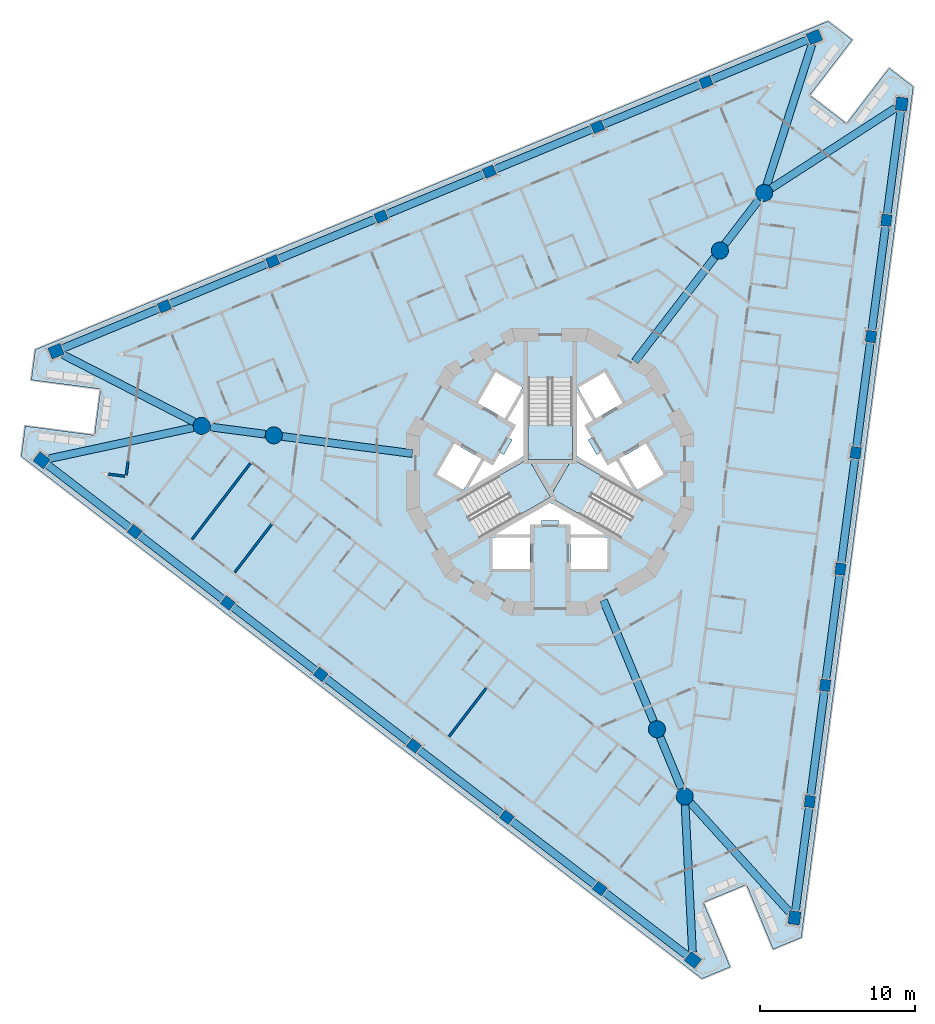
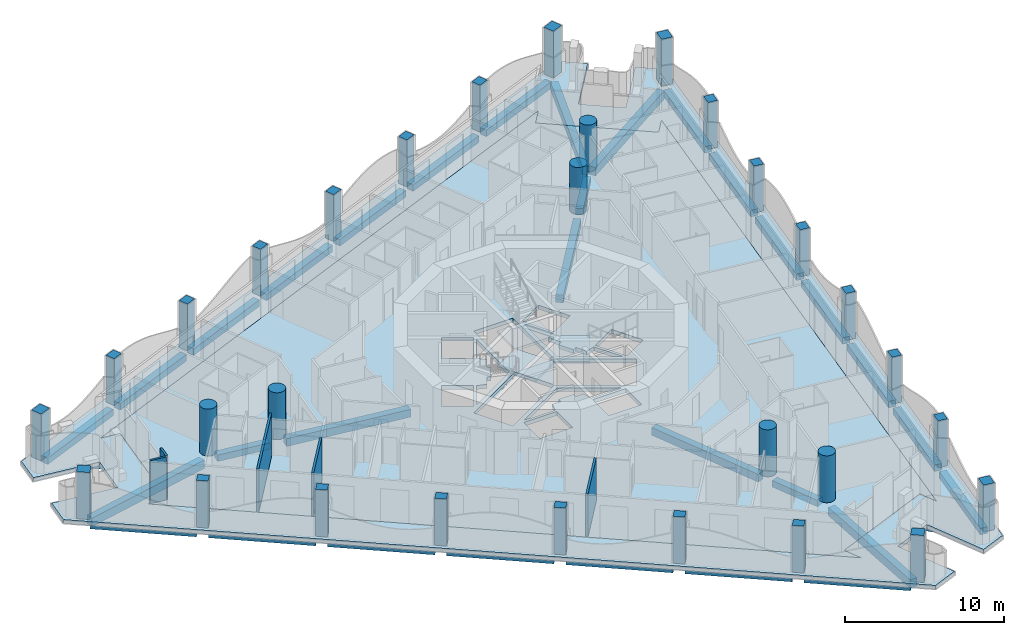
# One storey, part 1 of 17: 33 beams, 30 columns, 6 slabs, 5 walls, 3 elements without a shape of their own.
"""IFC4 building model written with IfcOpenShell, lengths in metres."""

from ifc_helpers import new_model, si_unit, direction, frame, frame_2d, origin, origin_2d, place, context, subcontext, project, spatial, polyline, rectangle, circle, outline, extrude, material, layer, layer_set, material_profile, profile_set, type_object, element, aggregate, save


model = new_model("IFC4")

# Units and contexts
model_context = context("Model", 3, precision=1e-05, world=origin(), true_north=direction((0.0, 1.0)))
body_context = subcontext(model_context, "Body", "Model", "MODEL_VIEW")
ifc_project = project(units=[si_unit("LENGTHUNIT", "METRE"), si_unit("AREAUNIT", "SQUARE_METRE"), si_unit("VOLUMEUNIT", "CUBIC_METRE"), si_unit("PLANEANGLEUNIT", "RADIAN"), si_unit("MASSUNIT", "GRAM", prefix="KILO")], contexts=[model_context])

# Site, building, storey
site_placement = place(None, origin())
site = spatial("IfcSite", under=ifc_project, at=site_placement, CompositionType="ELEMENT")
building_placement = place(site_placement, origin())
building = spatial("IfcBuilding", under=site, at=building_placement, Name="Trine Commons Tower", CompositionType="ELEMENT")
storey_placement = place(building_placement, frame((0.0, 0.0, 138.60009765625)))
storey = spatial("IfcBuildingStorey", under=building, at=storey_placement, Name="L35", CompositionType="ELEMENT", Elevation=138.60009765625)

# Columns
ifc_material_1 = material(Name="Concrete C70/85", Category="concrete")
ifc_material_profile_1 = material_profile(ifc_material_1, rectangle(XDim=0.75, YDim=0.64990234375, at=origin_2d()), Name="RC 750x650")
ifc_profile_set_1 = profile_set([ifc_material_profile_1], Name="Concrete C70/85")
column_type_1 = type_object("IfcColumnType", Name="RC column 750x650, C70/85", PredefinedType="COLUMN", material=ifc_profile_set_1)
for number, where, z_axis, x_axis, name in (
    (1, (83.197021484375, 35.652587890625, 0.0), (0.0, 0.0, 1.0), (-0.793353340291, 0.608761429009, 0.0), "Column PC4-02 L35"),
    (2, (77.20556640625, 40.25, 0.0), (0.0, 0.0, 1.0), (-0.793353340291, 0.608761429009, 0.0), "Column PC4-03 L35"),
    (3, (71.214111328125, 44.847412109375, 0.0), (0.0, 0.0, 1.0), (-0.793353340291, 0.608761429009, 0.0), "Column PC4-04 L35"),
    (4, (65.222900390625, 49.444580078125, 0.0), (0.0, 0.0, 1.0), (-0.793353340291, 0.608761429009, 0.0), "Column PC4-05 L35"),
    (5, (59.2314453125, 54.0419921875, 0.0), (0.0, 0.0, 1.0), (-0.793353340291, 0.608761429009, 0.0), "Column PC4-06 L35"),
    (6, (53.239990234375, 58.639404296875, 0.0), (0.0, 0.0, 1.0), (-0.793353340291, 0.608761429009, 0.0), "Column PC4-07 L35"),
    (7, (55.151123046875, 73.155029296875, 0.0), (0.0, 0.0, 1.0), (0.923879532511, 0.382683432365, 0.0), "Column PC4-10 L35"),
    (8, (62.128173828125, 76.044921875, 0.0), (0.0, 0.0, 1.0), (0.923879532511, 0.382683432365, 0.0), "Column PC4-11 L35"),
    (9, (69.105224609375, 78.93505859375, 0.0), (0.0, 0.0, 1.0), (0.923879532511, 0.382683432365, 0.0), "Column PC4-12 L35"),
    (10, (76.08251953125, 81.8251953125, 0.0), (0.0, 0.0, 1.0), (0.923879532511, 0.382683432365, 0.0), "Column PC4-13 L35"),
    (11, (83.0595703125, 84.715087890625, 0.0), (0.0, 0.0, 1.0), (0.923879532511, 0.382683432365, 0.0), "Column PC4-14 L35"),
    (12, (90.03662109375, 87.60498046875, 0.0), (0.0, 0.0, 1.0), (0.923879532511, 0.382683432365, 0.0), "Column PC4-15 L35"),
    (13, (101.652099609375, 78.692138671875, 0.0), (0.0, 0.0, 1.0), (0.13052619222, 0.991444861374, 0.0), "Column PC4-18 L35"),
    (14, (100.666259765625, 71.204833984375, 0.0), (0.0, 0.0, 1.0), (0.13052619222, 0.991444861374, 0.0), "Column PC4-19 L35"),
    (15, (99.680419921875, 63.717529296875, 0.0), (0.0, 0.0, 1.0), (0.13052619222, 0.991444861374, 0.0), "Column PC4-20 L35"),
    (16, (98.69482421875, 56.230224609375, 0.0), (0.0, 0.0, 1.0), (0.13052619222, 0.991444861374, 0.0), "Column PC4-21 L35"),
    (17, (97.708984375, 48.742919921875, 0.0), (0.0, 0.0, 1.0), (0.13052619222, 0.991444861374, 0.0), "Column PC4-22 L35"),
    (18, (96.723388671875, 41.255615234375, 0.0), (0.0, 0.0, 1.0), (0.13052619222, 0.991444861374, 0.0), "Column PC4-23 L35"),
):
    element("IfcColumn", number, at=place(storey_placement, frame(where, z_axis=z_axis, x_axis=x_axis)), inside=storey, type_object=column_type_1, Name=name, PredefinedType="COLUMN", context=body_context, shape_type="SweptSolid", body=[
        extrude(rectangle(XDim=0.75, YDim=0.64990234375, at=origin_2d()), origin(), (0.0, 0.0, 1.0), 3.599853515625),
    ])
ifc_material_profile_2 = material_profile(ifc_material_1, rectangle(XDim=0.85009765625, YDim=0.75, at=origin_2d()), Name="RC 850x750")
ifc_profile_set_2 = profile_set([ifc_material_profile_2], Name="Concrete C70/85")
column_type_2 = type_object("IfcColumnType", Name="RC column 850x750, C70/85", PredefinedType="COLUMN", material=ifc_profile_set_2)
for number, where, z_axis, x_axis, name in (
    (19, (89.188232421875, 31.055419921875, 0.0), (0.0, 0.0, 1.0), (-0.793353340291, 0.608761429009, 0.0), "Column PC4-01 L35"),
    (20, (47.248779296875, 63.23681640625, 0.0), (0.0, 0.0, 1.0), (-0.793353340291, 0.608761429009, 0.0), "Column PC4-08 L35"),
    (21, (48.174072265625, 70.264892578125, 0.0), (0.0, 0.0, 1.0), (0.923879532511, 0.382683432365, 0.0), "Column PC4-09 L35"),
    (22, (97.013671875, 90.4951171875, 0.0), (0.0, 0.0, 1.0), (0.923879532511, 0.382683432365, 0.0), "Column PC4-16 L35"),
    (23, (102.6376953125, 86.1796875, 0.0), (0.0, 0.0, 1.0), (0.13052619222, 0.991444861374, 0.0), "Column PC4-17 L35"),
    (24, (95.737548828125, 33.768310546875, 0.0), (0.0, 0.0, 1.0), (0.13052619222, 0.991444861374, 0.0), "Column PC4-24 L35"),
):
    element("IfcColumn", number, at=place(storey_placement, frame(where, z_axis=z_axis, x_axis=x_axis)), inside=storey, type_object=column_type_2, Name=name, PredefinedType="COLUMN", context=body_context, shape_type="SweptSolid", body=[
        extrude(rectangle(XDim=0.85009765625, YDim=0.75, at=origin_2d()), origin(), (0.0, 0.0, 1.0), 3.599853515625),
    ])
ifc_material_profile_3 = material_profile(ifc_material_1, circle(Radius=0.550048828125, at=origin_2d()), Name="RC round 1100")
ifc_profile_set_3 = profile_set([ifc_material_profile_3], Name="Concrete C70/85")
column_type_3 = type_object("IfcColumnType", Name="RC round column 1100 mm, C70/85", PredefinedType="COLUMN", material=ifc_profile_set_3)
for number, where, z_axis, x_axis, name in (
    (25, (86.87109375, 45.912109375, 0.0), (0.0, 0.0, 1.0), (1.0, 0.0, 0.0), "Column WC4-1 L35"),
    (26, (88.66259765625, 41.58642578125, 0.0), (0.0, 0.0, 1.0), (1.0, 0.0, 0.0), "Column WC4-2 L35"),
    (27, (90.93017578125, 76.744384765625, 0.0), (0.0, 0.0, 1.0), (1.0, 0.0, 0.0), "Column WC4-3 L35"),
    (28, (93.7802734375, 80.458984375, 0.0), (0.0, 0.0, 1.0), (1.0, 0.0, 0.0), "Column WC4-4 L35"),
    (29, (62.198974609375, 64.843505859375, 0.0), (0.0, 0.0, 1.0), (1.0, 0.0, 0.0), "Column WC4-5 L35"),
    (30, (57.556884765625, 65.45458984375, 0.0), (0.0, 0.0, 1.0), (1.0, 0.0, 0.0), "Column WC4-6 L35"),
):
    element("IfcColumn", number, at=place(storey_placement, frame(where, z_axis=z_axis, x_axis=x_axis)), inside=storey, type_object=column_type_3, Name=name, PredefinedType="COLUMN", context=body_context, shape_type="SweptSolid", body=[
        extrude(circle(Radius=0.550048828125, at=origin_2d()), origin(), (0.0, 0.0, 1.0), 3.599853515625),
    ])

# Beams
ifc_material_2 = material(Name="Concrete C50/60", Category="concrete")
ifc_material_profile_4 = material_profile(ifc_material_2, rectangle(XDim=0.5, YDim=0.5, at=origin_2d()), Name="RC 500x500")
ifc_profile_set_4 = profile_set([ifc_material_profile_4], Name="Concrete C50/60")
beam_type_1 = type_object("IfcBeamType", Name="RC beam 500x500, C50/60", PredefinedType="BEAM", material=ifc_profile_set_4)
beam_1_placement = place(storey_placement, frame((88.85107421875, 31.314208984375, -0.550048828125), z_axis=(-0.793369431695, 0.608740457709, 0.0), x_axis=(-0.608740457709, -0.793369431695, 0.0)))
element("IfcBeam", 31, at=beam_1_placement, inside=storey, type_object=beam_type_1, Name="Beam EB4-01 L35", PredefinedType="BEAM", context=body_context, shape_type="SweptSolid", body=[
    extrude(rectangle(XDim=0.5, YDim=0.5, at=origin_2d()), origin(), (0.0, 0.0, 1.0), 6.751708984375),
])
beam_2_placement = place(storey_placement, frame((82.8994140625, 35.881103515625, -0.550048828125), z_axis=(-0.793370600973, 0.60873893379, 0.0), x_axis=(-0.60873893379, -0.793370600973, 0.0)))
element("IfcBeam", 32, at=beam_2_placement, inside=storey, type_object=beam_type_1, Name="Beam EB4-02 L35", PredefinedType="BEAM", context=body_context, shape_type="SweptSolid", body=[
    extrude(rectangle(XDim=0.5, YDim=0.5, at=origin_2d()), origin(), (0.0, 0.0, 1.0), 6.802001953125),
])
beam_3_placement = place(storey_placement, frame((76.907958984375, 40.478515625, -0.550048828125), z_axis=(-0.793357299922, 0.608756268682, 0.0), x_axis=(-0.608756268682, -0.793357299922, 0.0)))
element("IfcBeam", 33, at=beam_3_placement, inside=storey, type_object=beam_type_1, Name="Beam EB4-03 L35", PredefinedType="BEAM", context=body_context, shape_type="SweptSolid", body=[
    extrude(rectangle(XDim=0.5, YDim=0.5, at=origin_2d()), origin(), (0.0, 0.0, 1.0), 6.8017578125),
])
beam_4_placement = place(storey_placement, frame((70.916748046875, 45.07568359375, -0.550048828125), z_axis=(-0.793370600973, 0.60873893379, 0.0), x_axis=(-0.60873893379, -0.793370600973, 0.0)))
element("IfcBeam", 34, at=beam_4_placement, inside=storey, type_object=beam_type_1, Name="Beam EB4-04 L35", PredefinedType="BEAM", context=body_context, shape_type="SweptSolid", body=[
    extrude(rectangle(XDim=0.5, YDim=0.5, at=origin_2d()), origin(), (0.0, 0.0, 1.0), 6.802001953125),
])
beam_5_placement = place(storey_placement, frame((64.92529296875, 49.673095703125, -0.550048828125), z_axis=(-0.793357299922, 0.608756268682, 0.0), x_axis=(-0.608756268682, -0.793357299922, 0.0)))
element("IfcBeam", 35, at=beam_5_placement, inside=storey, type_object=beam_type_1, Name="Beam EB4-05 L35", PredefinedType="BEAM", context=body_context, shape_type="SweptSolid", body=[
    extrude(rectangle(XDim=0.5, YDim=0.5, at=origin_2d()), origin(), (0.0, 0.0, 1.0), 6.8017578125),
])
beam_6_placement = place(storey_placement, frame((58.93408203125, 54.2705078125, -0.550048828125), z_axis=(-0.793370600973, 0.60873893379, 0.0), x_axis=(-0.60873893379, -0.793370600973, 0.0)))
element("IfcBeam", 36, at=beam_6_placement, inside=storey, type_object=beam_type_1, Name="Beam EB4-06 L35", PredefinedType="BEAM", context=body_context, shape_type="SweptSolid", body=[
    extrude(rectangle(XDim=0.5, YDim=0.5, at=origin_2d()), origin(), (0.0, 0.0, 1.0), 6.802001953125),
])
for number, where, z_axis, x_axis, name in (
    (37, (52.942626953125, 58.86767578125, -0.550048828125), (-0.793351968439, 0.608763216838, 0.0), (-0.608763216838, -0.793351968439, 0.0), "Beam EB4-07 L35"),
    (38, (48.566650390625, 70.427490234375, -0.550048828125), (0.923874044744, 0.382696680739, 0.0), (-0.382696680739, 0.923874044744, 0.0), "Beam EB4-08 L35"),
):
    element("IfcBeam", number, at=place(storey_placement, frame(where, z_axis=z_axis, x_axis=x_axis)), inside=storey, type_object=beam_type_1, Name=name, PredefinedType="BEAM", context=body_context, shape_type="SweptSolid", body=[
        extrude(rectangle(XDim=0.5, YDim=0.5, at=origin_2d()), origin(), (0.0, 0.0, 1.0), 6.751953125),
    ])
for number, where, z_axis, x_axis, name in (
    (39, (55.49755859375, 73.298583984375, -0.550048828125), (0.923877719045, 0.38268781043, 0.0), (-0.38268781043, 0.923877719045, 0.0), "Beam EB4-09 L35"),
    (40, (62.474609375, 76.1884765625, -0.550048828125), (0.923877719045, 0.38268781043, 0.0), (-0.38268781043, 0.923877719045, 0.0), "Beam EB4-10 L35"),
):
    element("IfcBeam", number, at=place(storey_placement, frame(where, z_axis=z_axis, x_axis=x_axis)), inside=storey, type_object=beam_type_1, Name=name, PredefinedType="BEAM", context=body_context, shape_type="SweptSolid", body=[
        extrude(rectangle(XDim=0.5, YDim=0.5, at=origin_2d()), origin(), (0.0, 0.0, 1.0), 6.802001953125),
    ])
for number, where, z_axis, x_axis, name in (
    (41, (69.451904296875, 79.07861328125, -0.550048828125), (0.923872462302, 0.382700500915, 0.0), (-0.382700500915, 0.923872462302, 0.0), "Beam EB4-11 L35"),
    (42, (76.428955078125, 81.968505859375, -0.550048828125), (0.923872462302, 0.382700500915, 0.0), (-0.382700500915, 0.923872462302, 0.0), "Beam EB4-12 L35"),
):
    element("IfcBeam", number, at=place(storey_placement, frame(where, z_axis=z_axis, x_axis=x_axis)), inside=storey, type_object=beam_type_1, Name=name, PredefinedType="BEAM", context=body_context, shape_type="SweptSolid", body=[
        extrude(rectangle(XDim=0.5, YDim=0.5, at=origin_2d()), origin(), (0.0, 0.0, 1.0), 6.8017578125),
    ])
beam_7_placement = place(storey_placement, frame((83.406005859375, 84.858642578125, -0.550048828125), z_axis=(0.923877719045, 0.38268781043, 0.0), x_axis=(-0.38268781043, 0.923877719045, 0.0)))
element("IfcBeam", 43, at=beam_7_placement, inside=storey, type_object=beam_type_1, Name="Beam EB4-13 L35", PredefinedType="BEAM", context=body_context, shape_type="SweptSolid", body=[
    extrude(rectangle(XDim=0.5, YDim=0.5, at=origin_2d()), origin(), (0.0, 0.0, 1.0), 6.802001953125),
])
beam_8_placement = place(storey_placement, frame((90.383056640625, 87.74853515625, -0.550048828125), z_axis=(0.923874044744, 0.382696680739, 0.0), x_axis=(-0.382696680739, 0.923874044744, 0.0)))
element("IfcBeam", 44, at=beam_8_placement, inside=storey, type_object=beam_type_1, Name="Beam EB4-14 L35", PredefinedType="BEAM", context=body_context, shape_type="SweptSolid", body=[
    extrude(rectangle(XDim=0.5, YDim=0.5, at=origin_2d()), origin(), (0.0, 0.0, 1.0), 6.751953125),
])
beam_9_placement = place(storey_placement, frame((102.582275390625, 85.75830078125, -0.550048828125), z_axis=(-0.130529338233, -0.991444447188, 0.0), x_axis=(0.991444447188, -0.130529338233, 0.0)))
element("IfcBeam", 45, at=beam_9_placement, inside=storey, type_object=beam_type_1, Name="Beam EB4-15 L35", PredefinedType="BEAM", context=body_context, shape_type="SweptSolid", body=[
    extrude(rectangle(XDim=0.5, YDim=0.5, at=origin_2d()), origin(), (0.0, 0.0, 1.0), 6.752197265625),
])
for number, where, z_axis, x_axis, name in (
    (46, (101.60302734375, 78.3203125, -0.550048828125), (-0.13054364647, -0.991442563322, 0.0), (0.991442563322, -0.13054364647, 0.0), "Beam EB4-16 L35"),
    (47, (100.6171875, 70.8330078125, -0.550048828125), (-0.13050836468, -0.991447208251, 0.0), (0.991447208251, -0.13050836468, 0.0), "Beam EB4-17 L35"),
    (48, (99.631591796875, 63.345703125, -0.550048828125), (-0.13054364647, -0.991442563322, 0.0), (0.991442563322, -0.13054364647, 0.0), "Beam EB4-18 L35"),
    (49, (98.64599609375, 55.8583984375, -0.550048828125), (-0.13054364647, -0.991442563322, 0.0), (0.991442563322, -0.13054364647, 0.0), "Beam EB4-19 L35"),
    (50, (97.66015625, 48.37109375, -0.550048828125), (-0.13054364647, -0.991442563322, 0.0), (0.991442563322, -0.13054364647, 0.0), "Beam EB4-20 L35"),
):
    element("IfcBeam", number, at=place(storey_placement, frame(where, z_axis=z_axis, x_axis=x_axis)), inside=storey, type_object=beam_type_1, Name=name, PredefinedType="BEAM", context=body_context, shape_type="SweptSolid", body=[
        extrude(rectangle(XDim=0.5, YDim=0.5, at=origin_2d()), origin(), (0.0, 0.0, 1.0), 6.8017578125),
    ])
beam_10_placement = place(storey_placement, frame((96.67431640625, 40.8837890625, -0.550048828125), z_axis=(-0.130498474521, -0.991448510084, 0.0), x_axis=(0.991448510084, -0.130498474521, 0.0)))
element("IfcBeam", 51, at=beam_10_placement, inside=storey, type_object=beam_type_1, Name="Beam EB4-21 L35", PredefinedType="BEAM", context=body_context, shape_type="SweptSolid", body=[
    extrude(rectangle(XDim=0.5, YDim=0.5, at=origin_2d()), origin(), (0.0, 0.0, 1.0), 6.751708984375),
])
beam_11_placement = place(storey_placement, frame((87.08154296875, 45.40380859375, -0.550048828125), z_axis=(0.382644753509, -0.92389555287, 0.0), x_axis=(0.92389555287, 0.382644753509, 0.0)))
element("IfcBeam", 52, at=beam_11_placement, inside=storey, type_object=beam_type_1, Name="Beam RB4-02 L35", PredefinedType="BEAM", context=body_context, shape_type="SweptSolid", body=[
    extrude(rectangle(XDim=0.5, YDim=0.5, at=origin_2d()), origin(), (0.0, 0.0, 1.0), 3.58203125),
])
beam_12_placement = place(storey_placement, frame((91.2646484375, 77.180419921875, -0.550048828125), z_axis=(0.608761938472, 0.793352949366, 0.0), x_axis=(-0.793352949366, 0.608761938472, 0.0)))
element("IfcBeam", 53, at=beam_12_placement, inside=storey, type_object=beam_type_1, Name="Beam RB4-04 L35", PredefinedType="BEAM", context=body_context, shape_type="SweptSolid", body=[
    extrude(rectangle(XDim=0.5, YDim=0.5, at=origin_2d()), origin(), (0.0, 0.0, 1.0), 3.5830078125),
])
beam_13_placement = place(storey_placement, frame((61.654296875, 64.915283203125, -0.550048828125), z_axis=(-0.991441999821, 0.13054792603, 0.0), x_axis=(-0.13054792603, -0.991441999821, 0.0)))
element("IfcBeam", 54, at=beam_13_placement, inside=storey, type_object=beam_type_1, Name="Beam RB4-06 L35", PredefinedType="BEAM", context=body_context, shape_type="SweptSolid", body=[
    extrude(rectangle(XDim=0.5, YDim=0.5, at=origin_2d()), origin(), (0.0, 0.0, 1.0), 3.583251953125),
])
ifc_material_profile_5 = material_profile(ifc_material_2, rectangle(XDim=0.5, YDim=0.60009765625, at=origin_2d()), Name="RC 500x600")
ifc_profile_set_5 = profile_set([ifc_material_profile_5], Name="Concrete C50/60")
beam_type_2 = type_object("IfcBeamType", Name="RC beam 500x600, C50/60", PredefinedType="BEAM", material=ifc_profile_set_5)
beam_14_placement = place(storey_placement, frame((83.426025390625, 54.228515625, -0.60009765625), z_axis=(0.382688551836, -0.92387741194, 0.0), x_axis=(0.92387741194, 0.382688551836, 0.0)))
element("IfcBeam", 55, at=beam_14_placement, inside=storey, type_object=beam_type_2, Name="Beam RB4-01 L35", PredefinedType="BEAM", context=body_context, shape_type="SweptSolid", body=[
    extrude(rectangle(XDim=0.5, YDim=0.60009765625, at=origin_2d()), origin(), (0.0, 0.0, 1.0), 8.45166015625),
])
for number, where, z_axis, x_axis, name in (
    (56, (85.4501953125, 69.602783203125, -0.60009765625), (0.608758331545, 0.793355717049, 0.0), (-0.793355717049, 0.608758331545, 0.0), "Beam RB4-03 L35"),
    (57, (71.123779296875, 63.668701171875, -0.60009765625), (-0.991444756637, 0.130526987771, 0.0), (-0.130526987771, -0.991444756637, 0.0), "Beam RB4-05 L35"),
):
    element("IfcBeam", number, at=place(storey_placement, frame(where, z_axis=z_axis, x_axis=x_axis)), inside=storey, type_object=beam_type_2, Name=name, PredefinedType="BEAM", context=body_context, shape_type="SweptSolid", body=[
        extrude(rectangle(XDim=0.5, YDim=0.60009765625, at=origin_2d()), origin(), (0.0, 0.0, 1.0), 8.452392578125),
    ])
ifc_material_profile_6 = material_profile(ifc_material_2, rectangle(XDim=0.5, YDim=0.64990234375, at=origin_2d()), Name="RC 500x650")
ifc_profile_set_6 = profile_set([ifc_material_profile_6], Name="Concrete C50/60")
beam_type_3 = type_object("IfcBeamType", Name="RC beam 500x650, C50/60", PredefinedType="BEAM", material=ifc_profile_set_6)
for number, where, z_axis, x_axis, name in (
    (58, (47.729736328125, 63.340087890625, -0.625), (0.977623092321, 0.210364182695, 0.0), (-0.210364182695, 0.977623092321, 0.0), "Beam CB4-01 L35"),
    (59, (48.61181640625, 70.04052734375, -0.625), (0.88987015168, -0.456213889692, 0.0), (0.456213889692, 0.88987015168, 0.0), "Beam CB4-02 L35"),
):
    element("IfcBeam", number, at=place(storey_placement, frame(where, z_axis=z_axis, x_axis=x_axis)), inside=storey, type_object=beam_type_3, Name=name, PredefinedType="BEAM", context=body_context, shape_type="SweptSolid", body=[
        extrude(rectangle(XDim=0.5, YDim=0.64990234375, at=origin_2d()), origin(), (0.0, 0.0, 1.0), 9.502685546875),
    ])
for number, where, z_axis, x_axis, name in (
    (60, (96.86279296875, 90.026611328125, -0.625), (-0.306661957359, -0.951818493153, 0.0), (0.951818493153, -0.306661957359, 0.0), "Beam CB4-03 L35"),
    (61, (102.224365234375, 85.91259765625, -0.625), (-0.840029620135, -0.542540539772, 0.0), (0.542540539772, -0.840029620135, 0.0), "Beam CB4-04 L35"),
):
    element("IfcBeam", number, at=place(storey_placement, frame(where, z_axis=z_axis, x_axis=x_axis)), inside=storey, type_object=beam_type_3, Name=name, PredefinedType="BEAM", context=body_context, shape_type="SweptSolid", body=[
        extrude(rectangle(XDim=0.5, YDim=0.64990234375, at=origin_2d()), origin(), (0.0, 0.0, 1.0), 9.50244140625),
    ])
beam_15_placement = place(storey_placement, frame((95.407470703125, 34.133056640625, -0.625), z_axis=(-0.670979247329, 0.74147612885, 0.0), x_axis=(-0.74147612885, -0.670979247329, 0.0)))
element("IfcBeam", 62, at=beam_15_placement, inside=storey, type_object=beam_type_3, Name="Beam CB4-05 L35", PredefinedType="BEAM", context=body_context, shape_type="SweptSolid", body=[
    extrude(rectangle(XDim=0.5, YDim=0.64990234375, at=origin_2d()), origin(), (0.0, 0.0, 1.0), 9.5029296875),
])
beam_16_placement = place(storey_placement, frame((89.163818359375, 31.546875, -0.625), z_axis=(-0.049841513837, 0.998757139398, 0.0), x_axis=(-0.998757139398, -0.049841513837, 0.0)))
element("IfcBeam", 63, at=beam_16_placement, inside=storey, type_object=beam_type_3, Name="Beam CB4-06 L35", PredefinedType="BEAM", context=body_context, shape_type="SweptSolid", body=[
    extrude(rectangle(XDim=0.5, YDim=0.64990234375, at=origin_2d()), origin(), (0.0, 0.0, 1.0), 9.502685546875),
])

# Slabs
ifc_layer_1 = layer(ifc_material_2, 0.300048828125)
ifc_layer_set_1 = layer_set([ifc_layer_1], Name="Concrete C50/60")
slab_type_1 = type_object("IfcSlabType", Name="Loggia slab 300 mm, C50/60", PredefinedType="FLOOR", material=ifc_layer_set_1)
slab_1_placement = place(storey_placement, frame((0.0, 0.0, -0.300048828125)))
element("IfcSlab", 64, at=slab_1_placement, inside=storey, type_object=slab_type_1, Name="Loggia slab L35", PredefinedType="FLOOR", context=body_context, shape_type="SweptSolid", body=[
    extrude(outline(polyline([(96.17578125, 32.500244140625), (103.38916015625, 87.291015625), (101.8310546875, 88.48681640625), (99.091552734375, 84.91650390625), (96.71142578125, 86.742919921875), (99.450927734375, 90.31298828125), (97.892578125, 91.508544921875), (46.835693359375, 70.360107421875), (46.579345703125, 68.412841796875), (51.041015625, 67.825439453125), (50.6494140625, 64.85107421875), (46.187744140625, 65.4384765625), (45.931396484375, 63.4912109375), (89.77490234375, 29.848876953125), (91.589599609375, 30.6005859375), (89.867431640625, 34.758056640625), (92.63916015625, 35.906005859375), (94.361328125, 31.74853515625), (96.17578125, 32.500244140625)]), holes=[polyline([(87.24658203125, 34.814208984375), (86.731689453125, 36.056884765625), (93.93798828125, 39.041748046875), (94.452880859375, 37.799072265625), (100.353271484375, 82.618408203125), (99.53466796875, 81.551513671875), (93.346435546875, 86.2998046875), (94.165283203125, 87.366943359375), (52.400146484375, 70.067138671875), (53.733642578125, 69.8916015625), (52.715576171875, 62.158447265625), (51.382080078125, 62.333984375), (87.24658203125, 34.814208984375)])]), origin(), (0.0, 0.0, 1.0), 0.300048828125),
])
ifc_layer_2 = layer(ifc_material_2, 0.300048828125)
ifc_layer_set_2 = layer_set([ifc_layer_2], Name="Concrete C50/60")
slab_type_2 = type_object("IfcSlabType", Name="PT flat slab 300 mm, C50/60", PredefinedType="FLOOR", material=ifc_layer_set_2)
slab_2_placement = place(storey_placement, frame((0.0, 0.0, -0.300048828125)))
element("IfcSlab", 65, at=slab_2_placement, inside=storey, type_object=slab_type_2, Name="Floor slab L35", PredefinedType="FLOOR", context=body_context, shape_type="SweptSolid", body=[
    extrude(outline(polyline([(51.382080078125, 62.333984375), (87.24658203125, 34.814208984375), (86.731689453125, 36.056884765625), (93.93798828125, 39.041748046875), (94.452880859375, 37.799072265625), (100.353271484375, 82.618408203125), (99.53466796875, 81.551513671875), (93.346435546875, 86.2998046875), (94.165283203125, 87.366943359375), (52.400146484375, 70.067138671875), (53.733642578125, 69.8916015625), (52.715576171875, 62.158447265625), (51.382080078125, 62.333984375)]), holes=[polyline([(78.699951171875, 56.25), (78.699951171875, 58.25), (76.300048828125, 58.25), (76.300048828125, 56.25), (78.699951171875, 56.25)]), polyline([(80.0, 60.8544921875), (84.4755859375, 58.2705078125), (85.900390625, 60.73876953125), (81.425048828125, 63.32275390625), (81.425048828125, 68.490478515625), (78.574951171875, 68.490478515625), (78.574951171875, 63.32275390625), (74.099609375, 60.73876953125), (75.5244140625, 58.2705078125), (80.0, 60.8544921875)]), polyline([(73.83740234375, 64.325927734375), (72.687255859375, 62.333984375), (74.41943359375, 61.333984375), (75.5693359375, 63.325927734375), (73.83740234375, 64.325927734375)]), polyline([(76.381103515625, 63.031005859375), (75.742919921875, 63.22607421875), (74.7099609375, 61.43798828125), (78.27490234375, 63.49609375), (78.27490234375, 67.612060546875), (77.242919921875, 65.823974609375), (77.73095703125, 65.368896484375), (77.3310546875, 64.676025390625), (77.555908203125, 64.5458984375), (77.006103515625, 63.593994140625), (76.781005859375, 63.722900390625), (76.381103515625, 63.031005859375)]), polyline([(76.4873046875, 68.916015625), (75.33740234375, 66.924072265625), (77.0693359375, 65.924072265625), (78.219482421875, 67.916015625), (76.4873046875, 68.916015625)]), polyline([(83.699951171875, 56.25), (83.699951171875, 58.25), (81.300048828125, 58.25), (81.300048828125, 56.25), (83.699951171875, 56.25)]), polyline([(81.14990234375, 59.10009765625), (81.300048828125, 58.449951171875), (83.56494140625, 58.449951171875), (80.0, 60.508056640625), (76.43505859375, 58.449951171875), (78.699951171875, 58.449951171875), (78.85009765625, 59.10009765625), (79.449951171875, 59.10009765625), (79.449951171875, 59.360107421875), (80.550048828125, 59.360107421875), (80.550048828125, 59.10009765625), (81.14990234375, 59.10009765625)]), polyline([(86.16259765625, 64.325927734375), (84.4306640625, 63.325927734375), (85.58056640625, 61.333984375), (87.312744140625, 62.333984375), (86.16259765625, 64.325927734375)]), polyline([(83.243896484375, 63.738037109375), (82.993896484375, 63.593994140625), (82.444091796875, 64.5458984375), (82.72705078125, 64.7099609375), (82.281005859375, 65.549072265625), (82.757080078125, 65.823974609375), (81.72509765625, 67.612060546875), (81.72509765625, 63.49609375), (85.2900390625, 61.43798828125), (84.257080078125, 63.22607421875), (83.618896484375, 63.031005859375), (83.243896484375, 63.738037109375)]), polyline([(84.66259765625, 66.924072265625), (83.5126953125, 68.916015625), (81.780517578125, 67.916015625), (82.9306640625, 65.924072265625), (84.66259765625, 66.924072265625)])]), origin(), (0.0, 0.0, 1.0), 0.300048828125),
])
slab_3_placement = place(storey_placement, frame((0.0, 0.0, -0.300048828125)))
element("IfcSlab", 66, at=slab_3_placement, inside=storey, type_object=slab_type_2, Name="Floor slab L35 2", PredefinedType="FLOOR", context=body_context, shape_type="SweptSolid", body=[
    extrude(outline(polyline([(78.61328125, 63.300537109375), (80.0, 60.89892578125), (81.38671875, 63.300537109375), (78.61328125, 63.300537109375)])), origin(), (0.0, 0.0, 1.0), 0.300048828125),
])

# Stair, slab
stair_type = type_object("IfcStairType", Name="Exit stair, dog-leg, 24 risers of 150 mm", PredefinedType="HALF_TURN_STAIR", material=ifc_material_2)
stair_1_placement = place(storey_placement, origin())
stair_1 = element("IfcStair", 67, at=stair_1_placement, inside=storey, type_object=stair_type, Name="L35 Exit stair ST1B", PredefinedType="HALF_TURN_STAIR")
ifc_layer_3 = layer(ifc_material_2, 0.199951171875)
ifc_layer_set_3 = layer_set([ifc_layer_3], Name="Concrete C50/60")
slab_type_3 = type_object("IfcSlabType", Name="Stair landing slab 200 mm, C50/60", PredefinedType="LANDING", material=ifc_layer_set_3)
slab_4_placement = place(storey_placement, frame((0.0, 0.0, 1.599853515625)))
slab_4 = element("IfcSlab", 68, at=slab_4_placement, type_object=slab_type_3, Name="ST1B landing 1", PredefinedType="LANDING", context=body_context, shape_type="SweptSolid", body=[
    extrude(outline(polyline([(78.574951171875, 65.570556640625), (78.574951171875, 63.300537109375), (81.425048828125, 63.300537109375), (81.425048828125, 65.570556640625), (78.574951171875, 65.570556640625)])), origin(), (0.0, 0.0, 1.0), 0.199951171875),
])
aggregate(stair_1, [slab_4])

stair_2_placement = place(storey_placement, origin())
stair_2 = element("IfcStair", 69, at=stair_2_placement, inside=storey, type_object=stair_type, Name="L35 Exit stair ST2B", PredefinedType="HALF_TURN_STAIR")
slab_5_placement = place(storey_placement, frame((0.0, 0.0, 1.599853515625)))
slab_5 = element("IfcSlab", 70, at=slab_5_placement, type_object=slab_type_3, Name="ST2B landing 1", PredefinedType="LANDING", context=body_context, shape_type="SweptSolid", body=[
    extrude(outline(polyline([(78.05322265625, 59.730712890625), (80.019287109375, 60.86572265625), (78.59423828125, 63.333740234375), (76.628173828125, 62.19873046875), (78.05322265625, 59.730712890625)])), origin(), (0.0, 0.0, 1.0), 0.199951171875),
])
aggregate(stair_2, [slab_5])

stair_3_placement = place(storey_placement, origin())
stair_3 = element("IfcStair", 71, at=stair_3_placement, inside=storey, type_object=stair_type, Name="L35 Exit stair ST3B", PredefinedType="HALF_TURN_STAIR")
slab_6_placement = place(storey_placement, frame((0.0, 0.0, 1.599853515625)))
slab_6 = element("IfcSlab", 72, at=slab_6_placement, type_object=slab_type_3, Name="ST3B landing 1", PredefinedType="LANDING", context=body_context, shape_type="SweptSolid", body=[
    extrude(outline(polyline([(83.371826171875, 62.19873046875), (81.40576171875, 63.333740234375), (79.980712890625, 60.86572265625), (81.94677734375, 59.730712890625), (83.371826171875, 62.19873046875)])), origin(), (0.0, 0.0, 1.0), 0.199951171875),
])
aggregate(stair_3, [slab_6])

# Walls
ifc_material_3 = material(Name="Aluminium-framed insulated wall panel", Category="aluminium")
ifc_layer_4 = layer(ifc_material_3, 0.14990234375)
ifc_layer_set_4 = layer_set([ifc_layer_4], Name="Aluminium-framed insulated wall panel")
wall_type_1 = type_object("IfcWallType", Name="Glazed frame wall 150, EI 60", PredefinedType="SOLIDWALL", material=ifc_layer_set_4)
wall_1_placement = place(storey_placement, frame((51.38671875, 62.36865234375, 0.0), z_axis=(0.0, 0.0, 1.0), x_axis=(0.991446880033, -0.130510858064, 0.0)))
element("IfcWall", 73, at=wall_1_placement, inside=storey, type_object=wall_type_1, Name="Glazed frame wall R1", PredefinedType="SOLIDWALL", context=body_context, shape_type="SweptSolid", body=[
    extrude(outline(polyline([(0.1494140625, 0.074951171875), (0.1494140625, -0.074951171875), (1.235107421875, -0.074951171875), (1.235107421875, 0.074951171875), (0.1494140625, 0.074951171875)])), origin(), (0.0, 0.0, 1.0), 3.2998046875),
])
wall_2_placement = place(storey_placement, frame((52.680908203125, 62.1630859375, 0.0), z_axis=(0.0, 0.0, 1.0), x_axis=(0.130403976344, 0.991460943736, 0.0)))
element("IfcWall", 74, at=wall_2_placement, inside=storey, type_object=wall_type_1, Name="Glazed frame wall P1.1", PredefinedType="SOLIDWALL", context=body_context, shape_type="SweptSolid", body=[
    extrude(outline(polyline([(0.110107421875, -0.074951171875), (1.0, -0.074951171875), (1.0, 0.074951171875), (0.110107421875, 0.074951171875), (0.110107421875, -0.074951171875)])), origin(), (0.0, 0.0, 1.0), 3.2998046875),
])
ifc_material_4 = material(Name="Gypsum plasterboard on steel stud", Category="steel")
ifc_layer_5 = layer(ifc_material_4, 0.14990234375)
ifc_layer_set_5 = layer_set([ifc_layer_5], Name="Gypsum plasterboard on steel stud")
wall_type_2 = type_object("IfcWallType", Name="Unit and corridor wall 150 mm, EI 60", PredefinedType="PARTITIONING", material=ifc_layer_set_5)
wall_3_placement = place(storey_placement, frame((56.92431640625, 58.131591796875, 0.0), z_axis=(0.0, 0.0, 1.0), x_axis=(0.608635904236, 0.793449643062, 0.0)))
element("IfcWall", 75, at=wall_3_placement, inside=storey, type_object=wall_type_2, Name="Partition 004", PredefinedType="PARTITIONING", context=body_context, shape_type="SweptSolid", body=[
    extrude(rectangle(XDim=6.194091796875, YDim=0.14990234375, at=frame_2d((3.09716796875, 0.0))), origin(), (0.0, 0.0, 1.0), 3.2998046875),
])
wall_4_placement = place(storey_placement, frame((59.682373046875, 56.0146484375, 0.0), z_axis=(0.0, 0.0, 1.0), x_axis=(0.608783231907, 0.793336609863, 0.0)))
element("IfcWall", 76, at=wall_4_placement, inside=storey, type_object=wall_type_2, Name="Partition 012", PredefinedType="PARTITIONING", context=body_context, shape_type="SweptSolid", body=[
    extrude(rectangle(XDim=3.919677734375, YDim=0.14990234375, at=frame_2d((1.9599609375, 0.0))), origin(), (0.0, 0.0, 1.0), 3.2998046875),
])
wall_5_placement = place(storey_placement, frame((73.476318359375, 45.4306640625, 0.0), z_axis=(0.0, 0.0, 1.0), x_axis=(0.60889890565, 0.793247831827, 0.0)))
element("IfcWall", 77, at=wall_5_placement, inside=storey, type_object=wall_type_2, Name="Partition 053", PredefinedType="PARTITIONING", context=body_context, shape_type="SweptSolid", body=[
    extrude(rectangle(XDim=3.968994140625, YDim=0.14990234375, at=frame_2d((1.984375, 0.0))), origin(), (0.0, 0.0, 1.0), 3.2998046875),
])

save(model, "model.ifc")
